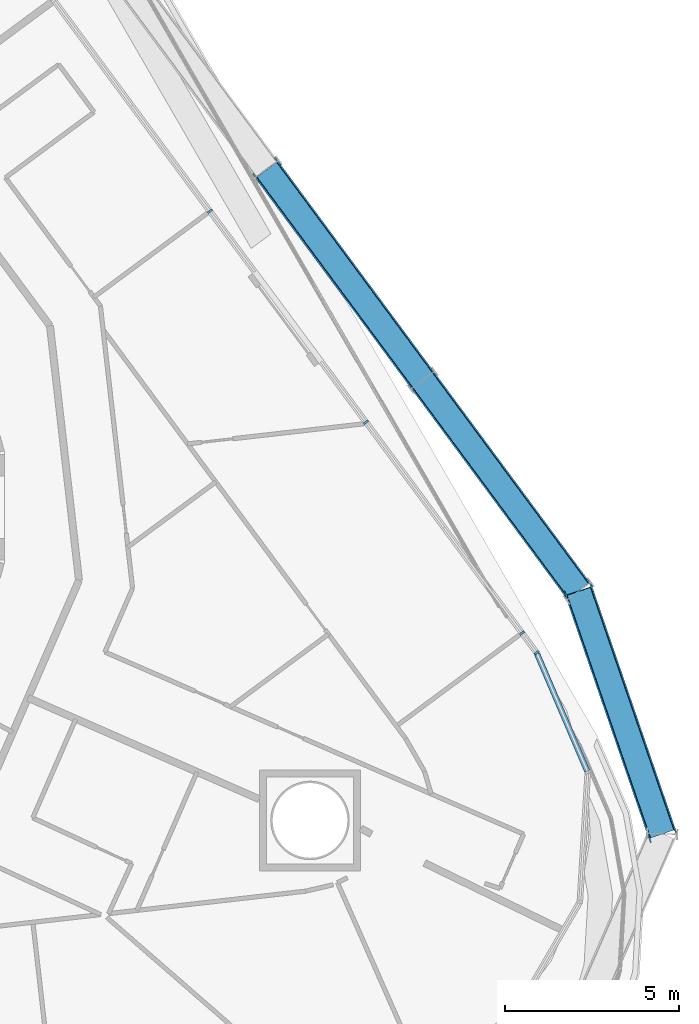
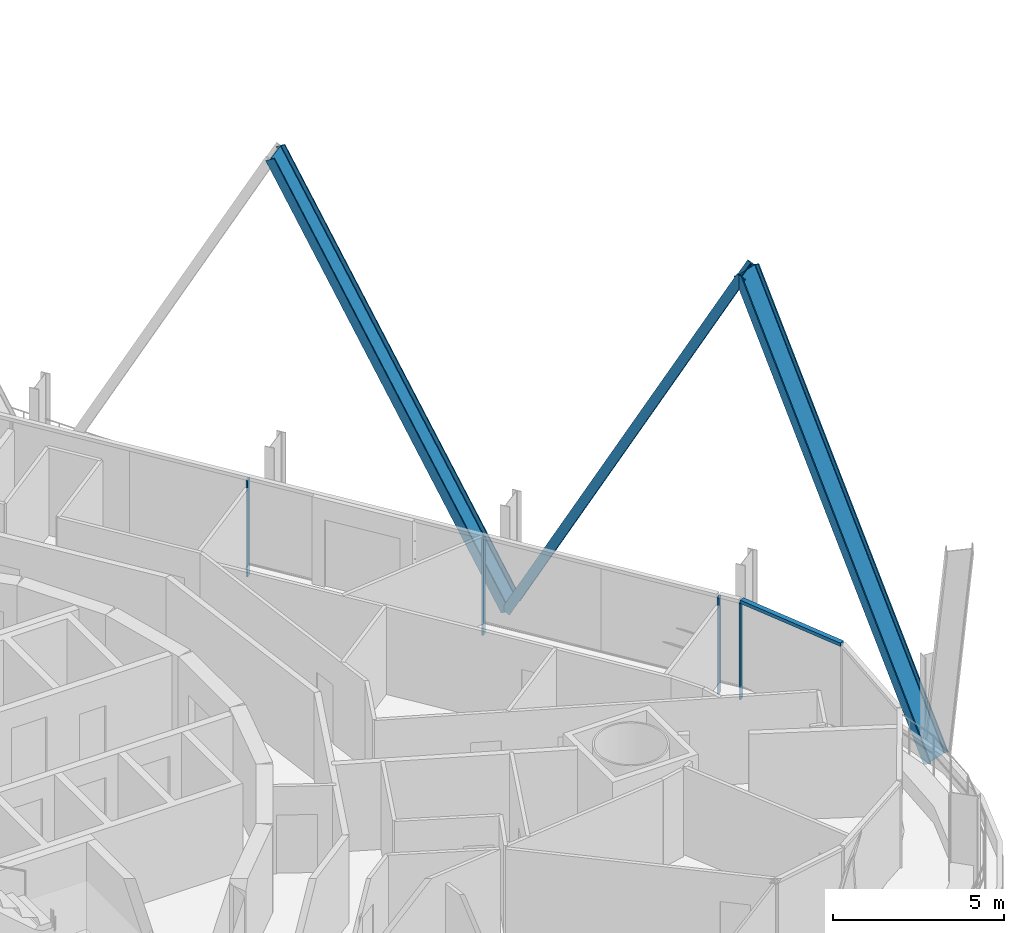
# One storey, part 8 of 32: 8 members, 2 elements without a shape of their own.
"""IFC4 building model written with IfcOpenShell, lengths in metres."""

from ifc_helpers import new_model, si_unit, direction, frame, origin, origin_2d, place, context, subcontext, project, spatial, rectangle, i_section, extrude, material, layer, layer_set, material_profile, profile_set, type_object, element, aggregate, save


model = new_model("IFC4")

# Units and contexts
model_context = context("Model", 3, precision=1e-05, world=origin(), true_north=direction((0.0, 1.0)))
body_context = subcontext(model_context, "Body", "Model", "MODEL_VIEW")
ifc_project = project(units=[si_unit("LENGTHUNIT", "METRE"), si_unit("AREAUNIT", "SQUARE_METRE"), si_unit("VOLUMEUNIT", "CUBIC_METRE"), si_unit("PLANEANGLEUNIT", "RADIAN"), si_unit("MASSUNIT", "GRAM", prefix="KILO")], contexts=[model_context])

# Site, building, storey
site_placement = place(None, origin())
site = spatial("IfcSite", under=ifc_project, at=site_placement, CompositionType="ELEMENT")
building_placement = place(site_placement, origin())
building = spatial("IfcBuilding", under=site, at=building_placement, Name="Spindle Arch Residences", CompositionType="ELEMENT")
storey_placement = place(building_placement, frame((0.0, 0.0, 76.699951171875)))
storey = spatial("IfcBuildingStorey", under=building, at=storey_placement, Name="L17", CompositionType="ELEMENT", Elevation=76.699951171875)

# Curtain wall, member
ifc_material_1 = material(Name="Aluminium bronze unitised frame with tinted glass", Category="aluminium")
ifc_layer_1 = layer(ifc_material_1, 0.159912109375)
ifc_layer_set_1 = layer_set([ifc_layer_1], Name="CW-D corner wall on the fillet arcs")
curtain_wall_type_1 = type_object("IfcCurtainWallType", Name="CW-D corner wall on the fillet arcs", PredefinedType="NOTDEFINED", material=ifc_layer_set_1)
curtain_wall_1_placement = place(storey_placement, origin())
curtain_wall_1 = element("IfcCurtainWall", 1, at=curtain_wall_1_placement, inside=storey, type_object=curtain_wall_type_1, Name="CW-D L17 run 1", PredefinedType="NOTDEFINED")
ifc_material_2 = material(Name="Aluminium bronze anodised mullion", Category="aluminium")
ifc_material_profile_1 = material_profile(ifc_material_2, rectangle(XDim=0.159912109375, YDim=0.06005859375, at=origin_2d()), Name="MU 60x160")
ifc_profile_set_1 = profile_set([ifc_material_profile_1], Name="Aluminium bronze anodised mullion")
member_type_1 = type_object("IfcMemberType", Name="Bronze mullion 60x160", PredefinedType="MULLION", material=ifc_profile_set_1)
member_1_placement = place(storey_placement, frame((27.142822265625, -4.171630859375, -0.449951171875), z_axis=(0.0, 0.0, 1.0), x_axis=(-0.803856860617, -0.594822786751, 0.0)))
member_1 = element("IfcMember", 2, at=member_1_placement, type_object=member_type_1, Name="CW-D mullion 05", PredefinedType="MULLION", context=body_context, shape_type="SweptSolid", body=[
    extrude(rectangle(XDim=0.159912109375, YDim=0.06005859375, at=origin_2d()), origin(), (0.0, 0.0, 1.0), 3.449951171875),
])

# Curtain wall, members
ifc_material_3 = material(Name="Aluminium bronze unitised frame with tinted glass", Category="aluminium")
ifc_layer_2 = layer(ifc_material_3, 0.159912109375)
ifc_layer_set_2 = layer_set([ifc_layer_2], Name="CW-C typical residential unitised wall")
curtain_wall_type_2 = type_object("IfcCurtainWallType", Name="CW-C typical residential unitised wall", PredefinedType="NOTDEFINED", material=ifc_layer_set_2)
curtain_wall_2_placement = place(storey_placement, origin())
curtain_wall_2 = element("IfcCurtainWall", 3, at=curtain_wall_2_placement, inside=storey, type_object=curtain_wall_type_2, Name="CW-C L17 run 2", PredefinedType="NOTDEFINED")
member_2_placement = place(storey_placement, frame((26.7255859375, -3.607666015625, -0.449951171875), z_axis=(0.0, 0.0, 1.0), x_axis=(-0.803856860617, -0.594822786751, 0.0)))
member_2 = element("IfcMember", 4, at=member_2_placement, type_object=member_type_1, Name="CW-C mullion 05", PredefinedType="MULLION", context=body_context, shape_type="SweptSolid", body=[
    extrude(rectangle(XDim=0.159912109375, YDim=0.06005859375, at=origin_2d()), origin(), (0.0, 0.0, 1.0), 3.449951171875),
])
member_3_placement = place(storey_placement, frame((22.253173828125, 2.436279296875, -0.449951171875), z_axis=(0.0, 0.0, 1.0), x_axis=(-0.803856860617, -0.594822786751, 0.0)))
member_3 = element("IfcMember", 5, at=member_3_placement, type_object=member_type_1, Name="CW-C mullion 06", PredefinedType="MULLION", context=body_context, shape_type="SweptSolid", body=[
    extrude(rectangle(XDim=0.159912109375, YDim=0.06005859375, at=origin_2d()), origin(), (0.0, 0.0, 1.0), 3.449951171875),
])
member_4_placement = place(storey_placement, frame((17.78076171875, 8.48046875, -0.449951171875), z_axis=(0.0, 0.0, 1.0), x_axis=(-0.803856860617, -0.594822786751, 0.0)))
member_4 = element("IfcMember", 6, at=member_4_placement, type_object=member_type_1, Name="CW-C mullion 07", PredefinedType="MULLION", context=body_context, shape_type="SweptSolid", body=[
    extrude(rectangle(XDim=0.159912109375, YDim=0.06005859375, at=origin_2d()), origin(), (0.0, 0.0, 1.0), 3.449951171875),
])
aggregate(curtain_wall_2, [member_2, member_3, member_4])

# Member
ifc_material_4 = material(Name="Aluminium bronze anodised transom", Category="aluminium")
ifc_material_profile_2 = material_profile(ifc_material_4, rectangle(XDim=0.159912109375, YDim=0.1201171875, at=origin_2d()), Name="TR 120x160")
ifc_profile_set_2 = profile_set([ifc_material_profile_2], Name="Aluminium bronze anodised transom")
member_type_2 = type_object("IfcMemberType", Name="Bronze transom 120x160", PredefinedType="USERDEFINED", material=ifc_profile_set_2)
member_5_placement = place(storey_placement, frame((28.59716796875, -7.5703125, 3.06005859375), z_axis=(-0.393429066236, 0.919354974882, 0.0), x_axis=(-0.919354974882, -0.393429066236, 0.0)))
member_5 = element("IfcMember", 7, at=member_5_placement, type_object=member_type_2, Name="CW-D transom 04", ObjectType="TRANSOM", PredefinedType="USERDEFINED", context=body_context, shape_type="SweptSolid", body=[
    extrude(rectangle(XDim=0.159912109375, YDim=0.1201171875, at=origin_2d()), origin(), (0.0, 0.0, 1.0), 3.666748046875),
])

aggregate(curtain_wall_1, [member_5, member_1])

# Members
ifc_material_5 = material(Name="Steel S460ML, intumescent coating R 240", Category="steel")
ifc_material_profile_3 = material_profile(ifc_material_5, i_section(OverallWidth=0.302978515625, OverallDepth=0.81396484375, WebThickness=0.02099609375, FlangeThickness=0.0400390625, FilletRadius=0.030029296875, at=origin_2d()), Name="HEM 800")
ifc_profile_set_3 = profile_set([ifc_material_profile_3], Name="Steel S460ML, intumescent coating R 240")
member_type_3 = type_object("IfcMemberType", Name="Diagrid diagonal HEM 800", PredefinedType="BRACE", material=ifc_profile_set_3)
member_6_placement = place(storey_placement, frame((30.740478515625, -9.36083984375, -0.699951171875), z_axis=(-0.150610868531, 0.43805403318, 0.886242083347), x_axis=(0.288150350226, -0.838089736221, 0.463222376084)))
element("IfcMember", 8, at=member_6_placement, inside=storey, type_object=member_type_3, Name="Diagrid diagonal 2.1.5", PredefinedType="BRACE", context=body_context, shape_type="SweptSolid", body=[
    extrude(i_section(OverallWidth=0.302978515625, OverallDepth=0.81396484375, WebThickness=0.02099609375, FlangeThickness=0.0400390625, FilletRadius=0.030029296875, at=origin_2d()), origin(), (0.0, 0.0, 1.0), 15.876220703125),
])
for number, where, z_axis, x_axis, name in (
    (9, (23.876953125, 3.637939453125, -0.699951171875), (0.28034745929, -0.378872321068, 0.881964322634), (-0.524608472909, 0.708976033834, 0.471316171589), "Diagrid diagonal 2.1.6"),
    (10, (23.876953125, 3.637939453125, -0.699951171875), (-0.280349084761, 0.378859214059, 0.881969436316), (0.524625207952, -0.708970011903, 0.471306602334), "Diagrid diagonal 2.1.7"),
):
    element("IfcMember", number, at=place(storey_placement, frame(where, z_axis=z_axis, x_axis=x_axis)), inside=storey, type_object=member_type_3, Name=name, PredefinedType="BRACE", context=body_context, shape_type="SweptSolid", body=[
        extrude(i_section(OverallWidth=0.302978515625, OverallDepth=0.81396484375, WebThickness=0.02099609375, FlangeThickness=0.0400390625, FilletRadius=0.030029296875, at=origin_2d()), origin(), (0.0, 0.0, 1.0), 15.953125),
    ])

save(model, "model.ifc")
